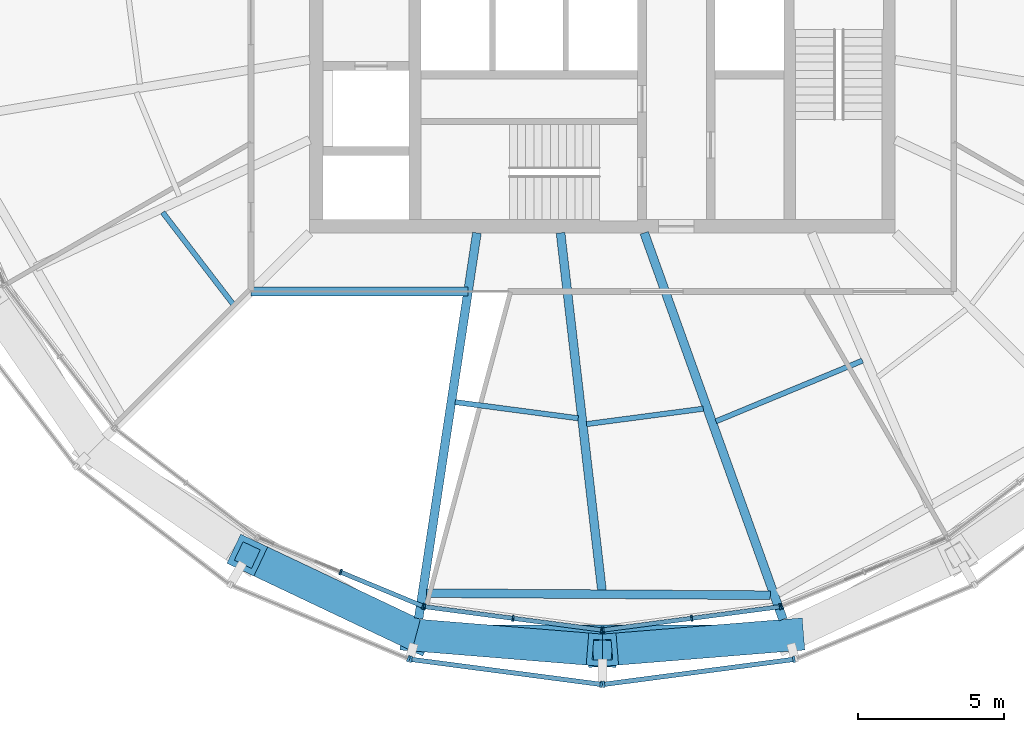
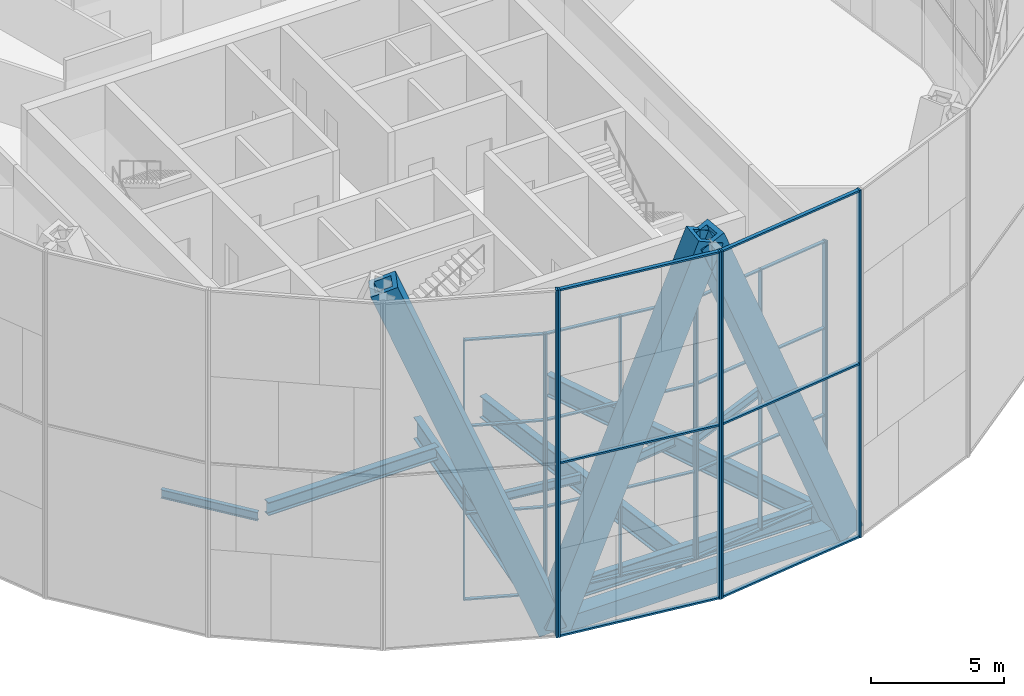
# One storey, part 2 of 26: 43 members, 10 beams, 7 elements without a shape of their own.
"""IFC4 building model written with IfcOpenShell, lengths in metres."""

from ifc_helpers import new_model, si_unit, direction, frame, origin, origin_2d, place, context, subcontext, project, spatial, rectangle, hollow_rectangle, i_section, extrude, material, material_profile, profile_set, type_object, element, aggregate, save


model = new_model("IFC4")

# Units and contexts
model_context = context("Model", 3, precision=1e-05, world=origin(), true_north=direction((0.0, 1.0)))
body_context = subcontext(model_context, "Body", "Model", "MODEL_VIEW")
ifc_project = project(units=[si_unit("LENGTHUNIT", "METRE"), si_unit("AREAUNIT", "SQUARE_METRE"), si_unit("VOLUMEUNIT", "CUBIC_METRE"), si_unit("PLANEANGLEUNIT", "RADIAN"), si_unit("MASSUNIT", "GRAM", prefix="KILO")], contexts=[model_context])

# Site, building, storey
site_placement = place(None, origin())
site = spatial("IfcSite", under=ifc_project, at=site_placement, CompositionType="ELEMENT")
building_placement = place(site_placement, origin())
building = spatial("IfcBuilding", under=site, at=building_placement, Name="Golbaran Civic Tower", CompositionType="ELEMENT")
storey_placement = place(building_placement, frame((0.0, 0.0, 199.0)))
storey = spatial("IfcBuildingStorey", under=building, at=storey_placement, Name="L48", CompositionType="ELEMENT", Elevation=199.0)

# Members
ifc_material_1 = material(Name="Steel S355", Category="steel")
ifc_material_profile_1 = material_profile(ifc_material_1, hollow_rectangle(XDim=1.10009765625, YDim=1.10009765625, WallThickness=0.199951171875, at=origin_2d()), Name="BOX 1100x1100x200")
ifc_profile_set_1 = profile_set([ifc_material_profile_1], Name="Steel S355")
member_type_1 = type_object("IfcMemberType", Name="DIAGRID DIAGONAL BOX 1100x1100x200", PredefinedType="BRACE", material=ifc_profile_set_1)
for number, where, z_axis, x_axis, name in (
    (1, (-6.361328125, -23.740478515625, -0.7099609375), (0.369288121894, -0.029933086945, 0.928832758538), (0.080791217773, 0.996731046537, 0.0), "Diagonal D11-08R L48-L52"),
    (2, (-6.361328125, -23.740478515625, -0.7099609375), (-0.334764832099, 0.158722749986, 0.92883776615), (-0.428416849002, -0.903581210236, 0.0), "Diagonal D11-08L L48-L52"),
    (3, (6.361328125, -23.740478515625, -0.7099609375), (-0.369288121894, -0.029933086945, 0.928832758538), (0.080791217773, -0.996731046537, 0.0), "Diagonal D11-09L L48-L52"),
):
    element("IfcMember", number, at=place(storey_placement, frame(where, z_axis=z_axis, x_axis=x_axis)), inside=storey, type_object=member_type_1, Name=name, PredefinedType="BRACE", context=body_context, shape_type="SweptSolid", body=[
        extrude(hollow_rectangle(XDim=1.10009765625, YDim=1.10009765625, WallThickness=0.199951171875, at=origin_2d()), origin(), (0.0, 0.0, 1.0), 17.225830078125),
    ])

# Beams
ifc_material_profile_2 = material_profile(ifc_material_1, hollow_rectangle(XDim=0.699951171875, YDim=0.699951171875, WallThickness=0.080078125, at=origin_2d()), Name="BOX 700x700x80")
ifc_profile_set_2 = profile_set([ifc_material_profile_2], Name="Steel S355")
beam_type_1 = type_object("IfcBeamType", Name="DIAGRID RING TIE BOX 700x700x80", PredefinedType="BEAM", material=ifc_profile_set_2)
beam_1_placement = place(storey_placement, frame((-6.361328125, -23.740478515625, -0.7099609375), z_axis=(1.0, 0.0, 0.0), x_axis=(0.0, 1.0, 0.0)))
element("IfcBeam", 4, at=beam_1_placement, inside=storey, type_object=beam_type_1, Name="Ring tie 255.00 L48", PredefinedType="BEAM", context=body_context, shape_type="SweptSolid", body=[
    extrude(hollow_rectangle(XDim=0.699951171875, YDim=0.699951171875, WallThickness=0.080078125, at=origin_2d()), origin(), (0.0, 0.0, 1.0), 12.72265625),
])
ifc_material_profile_3 = material_profile(ifc_material_1, i_section(OverallWidth=0.300048828125, OverallDepth=0.800048828125, WebThickness=0.017578125, FlangeThickness=0.032958984375, FilletRadius=0.030029296875, at=origin_2d()), Name="HEB 800")
ifc_profile_set_3 = profile_set([ifc_material_profile_3], Name="Steel S355")
beam_type_2 = type_object("IfcBeamType", Name="EDGE BEAM HEB 800", PredefinedType="BEAM", material=ifc_profile_set_3)
beam_2_placement = place(storey_placement, frame((-6.012939453125, -22.305419921875, -0.60009765625), z_axis=(0.999981458271, -0.006089590707, 0.0), x_axis=(0.006089590707, 0.999981458271, 0.0)))
element("IfcBeam", 5, at=beam_2_placement, inside=storey, type_object=beam_type_2, Name="Edge beam 255.00 L48", PredefinedType="BEAM", context=body_context, shape_type="SweptSolid", body=[
    extrude(i_section(OverallWidth=0.300048828125, OverallDepth=0.800048828125, WebThickness=0.017578125, FlangeThickness=0.032958984375, FilletRadius=0.030029296875, at=origin_2d()), origin(), (0.0, 0.0, 1.0), 11.746826171875),
])
ifc_material_profile_4 = material_profile(ifc_material_1, i_section(OverallWidth=0.179931640625, OverallDepth=0.39990234375, WebThickness=0.008544921875, FlangeThickness=0.013427734375, FilletRadius=0.02099609375, at=origin_2d()), Name="IPE 400")
ifc_profile_set_4 = profile_set([ifc_material_profile_4], Name="Steel S355")
beam_type_3 = type_object("IfcBeamType", Name="FLOOR INFILL BEAM IPE 400", PredefinedType="BEAM", material=ifc_profile_set_4)
beam_3_placement = place(storey_placement, frame((-15.0185546875, -9.301025390625, -0.39990234375), z_axis=(0.608762650761, -0.793352402806, 0.0), x_axis=(0.793352402806, 0.608762650761, 0.0)))
element("IfcBeam", 6, at=beam_3_placement, inside=storey, type_object=beam_type_3, Name="Infill beam 217.50 L48", PredefinedType="BEAM", context=body_context, shape_type="SweptSolid", body=[
    extrude(i_section(OverallWidth=0.179931640625, OverallDepth=0.39990234375, WebThickness=0.008544921875, FlangeThickness=0.013427734375, FilletRadius=0.02099609375, at=origin_2d()), origin(), (0.0, 0.0, 1.0), 3.94677734375),
])
beam_4_placement = place(storey_placement, frame((-5.02734375, -15.7802734375, -0.39990234375), z_axis=(0.991439973221, -0.130563316053, 0.0), x_axis=(0.130563316053, 0.991439973221, 0.0)))
element("IfcBeam", 7, at=beam_4_placement, inside=storey, type_object=beam_type_3, Name="Infill beam 262.50 L48", PredefinedType="BEAM", context=body_context, shape_type="SweptSolid", body=[
    extrude(i_section(OverallWidth=0.179931640625, OverallDepth=0.39990234375, WebThickness=0.008544921875, FlangeThickness=0.013427734375, FilletRadius=0.02099609375, at=origin_2d()), origin(), (0.0, 0.0, 1.0), 4.2373046875),
])
beam_5_placement = place(storey_placement, frame((-0.541748046875, -16.53173828125, -0.39990234375), z_axis=(0.991443344433, 0.130537714016, 0.0), x_axis=(-0.130537714016, 0.991443344433, 0.0)))
element("IfcBeam", 8, at=beam_5_placement, inside=storey, type_object=beam_type_3, Name="Infill beam 277.50 L48", PredefinedType="BEAM", context=body_context, shape_type="SweptSolid", body=[
    extrude(i_section(OverallWidth=0.179931640625, OverallDepth=0.39990234375, WebThickness=0.008544921875, FlangeThickness=0.013427734375, FilletRadius=0.02099609375, at=origin_2d()), origin(), (0.0, 0.0, 1.0), 4.02294921875),
])
beam_6_placement = place(storey_placement, frame((3.877685546875, -16.4375, -0.39990234375), z_axis=(0.923884424675, 0.382671621423, 0.0), x_axis=(-0.382671621423, 0.923884424675, 0.0)))
element("IfcBeam", 9, at=beam_6_placement, inside=storey, type_object=beam_type_3, Name="Infill beam 292.50 L48", PredefinedType="BEAM", context=body_context, shape_type="SweptSolid", body=[
    extrude(i_section(OverallWidth=0.179931640625, OverallDepth=0.39990234375, WebThickness=0.008544921875, FlangeThickness=0.013427734375, FilletRadius=0.02099609375, at=origin_2d()), origin(), (0.0, 0.0, 1.0), 5.416015625),
])
ifc_material_profile_5 = material_profile(ifc_material_1, i_section(OverallWidth=0.300048828125, OverallDepth=0.60009765625, WebThickness=0.015380859375, FlangeThickness=0.030029296875, FilletRadius=0.027099609375, at=origin_2d()), Name="HEB 600")
ifc_profile_set_5 = profile_set([ifc_material_profile_5], Name="Steel S355")
beam_type_4 = type_object("IfcBeamType", Name="GARDEN CHORD TRIMMER HEB 600", PredefinedType="BEAM", material=ifc_profile_set_5)
beam_7_placement = place(storey_placement, frame((-12.0, -12.0, -0.5), z_axis=(1.0, 0.0, 0.0), x_axis=(0.0, 1.0, 0.0)))
element("IfcBeam", 10, at=beam_7_placement, inside=storey, type_object=beam_type_4, Name="Garden void trimmer L48", PredefinedType="BEAM", context=body_context, shape_type="SweptSolid", body=[
    extrude(i_section(OverallWidth=0.300048828125, OverallDepth=0.60009765625, WebThickness=0.015380859375, FlangeThickness=0.030029296875, FilletRadius=0.027099609375, at=origin_2d()), origin(), (0.0, 0.0, 1.0), 7.412109375),
])

# Curtain wall, members
ifc_material_2 = material(Name="Aluminium and glass", Category="aluminium")
curtain_wall_type_1 = type_object("IfcCurtainWallType", Name="INNER SKIN CURTAIN WALL EXECUTIVE", PredefinedType="NOTDEFINED", material=ifc_material_2)
curtain_wall_1_placement = place(storey_placement, origin())
curtain_wall_1 = element("IfcCurtainWall", 11, at=curtain_wall_1_placement, inside=storey, type_object=curtain_wall_type_1, Name="Inner skin L48 facet 17 CW2", ObjectType="INNER SKIN", PredefinedType="USERDEFINED")
ifc_material_3 = material(Name="Aluminium", Category="aluminium")
ifc_material_profile_6 = material_profile(ifc_material_3, rectangle(XDim=0.199951171875, YDim=0.06005859375, at=origin_2d()), Name="INNER SKIN CURTAIN WALL EXECUTIVE MULLION")
ifc_profile_set_6 = profile_set([ifc_material_profile_6], Name="Aluminium")
member_type_2 = type_object("IfcMemberType", Name="INNER SKIN CURTAIN WALL EXECUTIVE MULLION", PredefinedType="MULLION", material=ifc_profile_set_6)
member_1_placement = place(storey_placement, frame((-8.941650390625, -21.5869140625, 0.0), z_axis=(0.0, 0.0, 1.0), x_axis=(0.382683432349, 0.923879532518, 0.0)))
member_1 = element("IfcMember", 12, at=member_1_placement, type_object=member_type_2, Name="CW2 mullion 2", PredefinedType="MULLION", context=body_context, shape_type="SweptSolid", body=[
    extrude(rectangle(XDim=0.199951171875, YDim=0.06005859375, at=origin_2d()), origin(), (0.0, 0.0, 1.0), 12.0),
])
member_2_placement = place(storey_placement, frame((-6.127197265625, -22.75244140625, 0.0), z_axis=(0.0, 0.0, 1.0), x_axis=(0.382683432349, 0.923879532518, 0.0)))
member_2 = element("IfcMember", 13, at=member_2_placement, type_object=member_type_2, Name="CW2 mullion 3", PredefinedType="MULLION", context=body_context, shape_type="SweptSolid", body=[
    extrude(rectangle(XDim=0.199951171875, YDim=0.06005859375, at=origin_2d()), origin(), (0.0, 0.0, 1.0), 12.0),
])

curtain_wall_2_placement = place(storey_placement, origin())
curtain_wall_2 = element("IfcCurtainWall", 14, at=curtain_wall_2_placement, inside=storey, type_object=curtain_wall_type_1, Name="Inner skin L48 facet 18 CW2", ObjectType="INNER SKIN", PredefinedType="USERDEFINED")
member_3_placement = place(storey_placement, frame((-6.06982421875, -22.767822265625, 0.0), z_axis=(0.0, 0.0, 1.0), x_axis=(0.130526192237, 0.991444861372, 0.0)))
member_3 = element("IfcMember", 15, at=member_3_placement, type_object=member_type_2, Name="CW2 mullion 1", PredefinedType="MULLION", context=body_context, shape_type="SweptSolid", body=[
    extrude(rectangle(XDim=0.199951171875, YDim=0.06005859375, at=origin_2d()), origin(), (0.0, 0.0, 1.0), 12.0),
])
member_4_placement = place(storey_placement, frame((-3.0498046875, -23.16552734375, 0.0), z_axis=(0.0, 0.0, 1.0), x_axis=(0.130526192237, 0.991444861372, 0.0)))
member_4 = element("IfcMember", 16, at=member_4_placement, type_object=member_type_2, Name="CW2 mullion 2", PredefinedType="MULLION", context=body_context, shape_type="SweptSolid", body=[
    extrude(rectangle(XDim=0.199951171875, YDim=0.06005859375, at=origin_2d()), origin(), (0.0, 0.0, 1.0), 12.0),
])
member_5_placement = place(storey_placement, frame((-0.02978515625, -23.56298828125, 0.0), z_axis=(0.0, 0.0, 1.0), x_axis=(0.130526192237, 0.991444861372, 0.0)))
member_5 = element("IfcMember", 17, at=member_5_placement, type_object=member_type_2, Name="CW2 mullion 3", PredefinedType="MULLION", context=body_context, shape_type="SweptSolid", body=[
    extrude(rectangle(XDim=0.199951171875, YDim=0.06005859375, at=origin_2d()), origin(), (0.0, 0.0, 1.0), 12.0),
])

curtain_wall_3_placement = place(storey_placement, origin())
curtain_wall_3 = element("IfcCurtainWall", 18, at=curtain_wall_3_placement, inside=storey, type_object=curtain_wall_type_1, Name="Inner skin L48 facet 19 CW2", ObjectType="INNER SKIN", PredefinedType="USERDEFINED")
member_6_placement = place(storey_placement, frame((0.02978515625, -23.56298828125, 0.0), z_axis=(0.0, 0.0, 1.0), x_axis=(-0.130526192237, 0.991444861372, 0.0)))
member_6 = element("IfcMember", 19, at=member_6_placement, type_object=member_type_2, Name="CW2 mullion 1", PredefinedType="MULLION", context=body_context, shape_type="SweptSolid", body=[
    extrude(rectangle(XDim=0.199951171875, YDim=0.06005859375, at=origin_2d()), origin(), (0.0, 0.0, 1.0), 12.0),
])
member_7_placement = place(storey_placement, frame((3.0498046875, -23.16552734375, 0.0), z_axis=(0.0, 0.0, 1.0), x_axis=(-0.130526192237, 0.991444861372, 0.0)))
member_7 = element("IfcMember", 20, at=member_7_placement, type_object=member_type_2, Name="CW2 mullion 2", PredefinedType="MULLION", context=body_context, shape_type="SweptSolid", body=[
    extrude(rectangle(XDim=0.199951171875, YDim=0.06005859375, at=origin_2d()), origin(), (0.0, 0.0, 1.0), 12.0),
])
member_8_placement = place(storey_placement, frame((6.06982421875, -22.767822265625, 0.0), z_axis=(0.0, 0.0, 1.0), x_axis=(-0.130526192237, 0.991444861372, 0.0)))
member_8 = element("IfcMember", 21, at=member_8_placement, type_object=member_type_2, Name="CW2 mullion 3", PredefinedType="MULLION", context=body_context, shape_type="SweptSolid", body=[
    extrude(rectangle(XDim=0.199951171875, YDim=0.06005859375, at=origin_2d()), origin(), (0.0, 0.0, 1.0), 12.0),
])

# Curtain wall, member
curtain_wall_4_placement = place(storey_placement, origin())
curtain_wall_4 = element("IfcCurtainWall", 22, at=curtain_wall_4_placement, inside=storey, type_object=curtain_wall_type_1, Name="Inner skin L48 facet 20 CW2", ObjectType="INNER SKIN", PredefinedType="USERDEFINED")
member_9_placement = place(storey_placement, frame((6.127197265625, -22.75244140625, 0.0), z_axis=(0.0, 0.0, 1.0), x_axis=(-0.382683432349, 0.923879532518, 0.0)))
member_9 = element("IfcMember", 23, at=member_9_placement, type_object=member_type_2, Name="CW2 mullion 1", PredefinedType="MULLION", context=body_context, shape_type="SweptSolid", body=[
    extrude(rectangle(XDim=0.199951171875, YDim=0.06005859375, at=origin_2d()), origin(), (0.0, 0.0, 1.0), 12.0),
])
aggregate(curtain_wall_4, [member_9])

# Member
ifc_material_profile_7 = material_profile(ifc_material_3, rectangle(XDim=0.14990234375, YDim=0.06005859375, at=origin_2d()), Name="INNER SKIN CURTAIN WALL EXECUTIVE TRANSOM")
ifc_profile_set_7 = profile_set([ifc_material_profile_7], Name="Aluminium")
member_type_3 = type_object("IfcMemberType", Name="INNER SKIN CURTAIN WALL EXECUTIVE TRANSOM", PredefinedType="USERDEFINED", material=ifc_profile_set_7)
member_10_placement = place(storey_placement, frame((-8.913818359375, -21.598388671875, 0.030029296875), z_axis=(0.923897258763, -0.382640634603, 0.0), x_axis=(0.382640634603, 0.923897258763, 0.0)))
member_10 = element("IfcMember", 24, at=member_10_placement, type_object=member_type_3, Name="CW2 transom 2.1", ObjectType="TRANSOM", PredefinedType="USERDEFINED", context=body_context, shape_type="SweptSolid", body=[
    extrude(rectangle(XDim=0.14990234375, YDim=0.06005859375, at=origin_2d()), origin(), (0.0, 0.0, 1.0), 2.986083984375),
])

member_11_placement = place(storey_placement, frame((-8.913818359375, -21.598388671875, 4.0), z_axis=(0.923897258763, -0.382640634603, 0.0), x_axis=(0.382640634603, 0.923897258763, 0.0)))
member_11 = element("IfcMember", 25, at=member_11_placement, type_object=member_type_3, Name="CW2 transom 2.2", ObjectType="TRANSOM", PredefinedType="USERDEFINED", context=body_context, shape_type="SweptSolid", body=[
    extrude(rectangle(XDim=0.14990234375, YDim=0.06005859375, at=origin_2d()), origin(), (0.0, 0.0, 1.0), 2.986083984375),
])

member_12_placement = place(storey_placement, frame((-8.913818359375, -21.598388671875, 8.0), z_axis=(0.923897258763, -0.382640634603, 0.0), x_axis=(0.382640634603, 0.923897258763, 0.0)))
member_12 = element("IfcMember", 26, at=member_12_placement, type_object=member_type_3, Name="CW2 transom 2.3", ObjectType="TRANSOM", PredefinedType="USERDEFINED", context=body_context, shape_type="SweptSolid", body=[
    extrude(rectangle(XDim=0.14990234375, YDim=0.06005859375, at=origin_2d()), origin(), (0.0, 0.0, 1.0), 2.986083984375),
])

member_13_placement = place(storey_placement, frame((-8.913818359375, -21.598388671875, 11.969970703125), z_axis=(0.923897258763, -0.382640634603, 0.0), x_axis=(0.382640634603, 0.923897258763, 0.0)))
member_13 = element("IfcMember", 27, at=member_13_placement, type_object=member_type_3, Name="CW2 transom 2.4", ObjectType="TRANSOM", PredefinedType="USERDEFINED", context=body_context, shape_type="SweptSolid", body=[
    extrude(rectangle(XDim=0.14990234375, YDim=0.06005859375, at=origin_2d()), origin(), (0.0, 0.0, 1.0), 2.986083984375),
])

aggregate(curtain_wall_1, [member_1, member_2, member_10, member_11, member_12, member_13])

member_14_placement = place(storey_placement, frame((-6.0400390625, -22.771728515625, 0.030029296875), z_axis=(0.991438704267, -0.130572951568, 0.0), x_axis=(0.130572951568, 0.991438704267, 0.0)))
member_14 = element("IfcMember", 28, at=member_14_placement, type_object=member_type_3, Name="CW2 transom 1.1", ObjectType="TRANSOM", PredefinedType="USERDEFINED", context=body_context, shape_type="SweptSolid", body=[
    extrude(rectangle(XDim=0.14990234375, YDim=0.06005859375, at=origin_2d()), origin(), (0.0, 0.0, 1.0), 2.986083984375),
])

member_15_placement = place(storey_placement, frame((-6.0400390625, -22.771728515625, 4.0), z_axis=(0.991438704267, -0.130572951568, 0.0), x_axis=(0.130572951568, 0.991438704267, 0.0)))
member_15 = element("IfcMember", 29, at=member_15_placement, type_object=member_type_3, Name="CW2 transom 1.2", ObjectType="TRANSOM", PredefinedType="USERDEFINED", context=body_context, shape_type="SweptSolid", body=[
    extrude(rectangle(XDim=0.14990234375, YDim=0.06005859375, at=origin_2d()), origin(), (0.0, 0.0, 1.0), 2.986083984375),
])

member_16_placement = place(storey_placement, frame((-6.0400390625, -22.771728515625, 8.0), z_axis=(0.991438704267, -0.130572951568, 0.0), x_axis=(0.130572951568, 0.991438704267, 0.0)))
member_16 = element("IfcMember", 30, at=member_16_placement, type_object=member_type_3, Name="CW2 transom 1.3", ObjectType="TRANSOM", PredefinedType="USERDEFINED", context=body_context, shape_type="SweptSolid", body=[
    extrude(rectangle(XDim=0.14990234375, YDim=0.06005859375, at=origin_2d()), origin(), (0.0, 0.0, 1.0), 2.986083984375),
])

member_17_placement = place(storey_placement, frame((-6.0400390625, -22.771728515625, 11.969970703125), z_axis=(0.991438704267, -0.130572951568, 0.0), x_axis=(0.130572951568, 0.991438704267, 0.0)))
member_17 = element("IfcMember", 31, at=member_17_placement, type_object=member_type_3, Name="CW2 transom 1.4", ObjectType="TRANSOM", PredefinedType="USERDEFINED", context=body_context, shape_type="SweptSolid", body=[
    extrude(rectangle(XDim=0.14990234375, YDim=0.06005859375, at=origin_2d()), origin(), (0.0, 0.0, 1.0), 2.986083984375),
])

member_18_placement = place(storey_placement, frame((-3.02001953125, -23.16943359375, 0.030029296875), z_axis=(0.991449285551, -0.130492582858, 0.0), x_axis=(0.130492582858, 0.991449285551, 0.0)))
member_18 = element("IfcMember", 32, at=member_18_placement, type_object=member_type_3, Name="CW2 transom 2.1", ObjectType="TRANSOM", PredefinedType="USERDEFINED", context=body_context, shape_type="SweptSolid", body=[
    extrude(rectangle(XDim=0.14990234375, YDim=0.06005859375, at=origin_2d()), origin(), (0.0, 0.0, 1.0), 2.986083984375),
])

member_19_placement = place(storey_placement, frame((-3.02001953125, -23.16943359375, 4.0), z_axis=(0.991449285551, -0.130492582858, 0.0), x_axis=(0.130492582858, 0.991449285551, 0.0)))
member_19 = element("IfcMember", 33, at=member_19_placement, type_object=member_type_3, Name="CW2 transom 2.2", ObjectType="TRANSOM", PredefinedType="USERDEFINED", context=body_context, shape_type="SweptSolid", body=[
    extrude(rectangle(XDim=0.14990234375, YDim=0.06005859375, at=origin_2d()), origin(), (0.0, 0.0, 1.0), 2.986083984375),
])

member_20_placement = place(storey_placement, frame((-3.02001953125, -23.16943359375, 8.0), z_axis=(0.991449285551, -0.130492582858, 0.0), x_axis=(0.130492582858, 0.991449285551, 0.0)))
member_20 = element("IfcMember", 34, at=member_20_placement, type_object=member_type_3, Name="CW2 transom 2.3", ObjectType="TRANSOM", PredefinedType="USERDEFINED", context=body_context, shape_type="SweptSolid", body=[
    extrude(rectangle(XDim=0.14990234375, YDim=0.06005859375, at=origin_2d()), origin(), (0.0, 0.0, 1.0), 2.986083984375),
])

member_21_placement = place(storey_placement, frame((-3.02001953125, -23.16943359375, 11.969970703125), z_axis=(0.991449285551, -0.130492582858, 0.0), x_axis=(0.130492582858, 0.991449285551, 0.0)))
member_21 = element("IfcMember", 35, at=member_21_placement, type_object=member_type_3, Name="CW2 transom 2.4", ObjectType="TRANSOM", PredefinedType="USERDEFINED", context=body_context, shape_type="SweptSolid", body=[
    extrude(rectangle(XDim=0.14990234375, YDim=0.06005859375, at=origin_2d()), origin(), (0.0, 0.0, 1.0), 2.986083984375),
])

aggregate(curtain_wall_2, [member_3, member_4, member_5, member_14, member_15, member_16, member_17, member_18, member_19, member_20, member_21])

member_22_placement = place(storey_placement, frame((0.0595703125, -23.55908203125, 0.030029296875), z_axis=(0.991449285551, 0.130492582858, 0.0), x_axis=(-0.130492582858, 0.991449285551, 0.0)))
member_22 = element("IfcMember", 36, at=member_22_placement, type_object=member_type_3, Name="CW2 transom 1.1", ObjectType="TRANSOM", PredefinedType="USERDEFINED", context=body_context, shape_type="SweptSolid", body=[
    extrude(rectangle(XDim=0.14990234375, YDim=0.06005859375, at=origin_2d()), origin(), (0.0, 0.0, 1.0), 2.986083984375),
])

member_23_placement = place(storey_placement, frame((0.0595703125, -23.55908203125, 4.0), z_axis=(0.991449285551, 0.130492582858, 0.0), x_axis=(-0.130492582858, 0.991449285551, 0.0)))
member_23 = element("IfcMember", 37, at=member_23_placement, type_object=member_type_3, Name="CW2 transom 1.2", ObjectType="TRANSOM", PredefinedType="USERDEFINED", context=body_context, shape_type="SweptSolid", body=[
    extrude(rectangle(XDim=0.14990234375, YDim=0.06005859375, at=origin_2d()), origin(), (0.0, 0.0, 1.0), 2.986083984375),
])

member_24_placement = place(storey_placement, frame((0.0595703125, -23.55908203125, 8.0), z_axis=(0.991449285551, 0.130492582858, 0.0), x_axis=(-0.130492582858, 0.991449285551, 0.0)))
member_24 = element("IfcMember", 38, at=member_24_placement, type_object=member_type_3, Name="CW2 transom 1.3", ObjectType="TRANSOM", PredefinedType="USERDEFINED", context=body_context, shape_type="SweptSolid", body=[
    extrude(rectangle(XDim=0.14990234375, YDim=0.06005859375, at=origin_2d()), origin(), (0.0, 0.0, 1.0), 2.986083984375),
])

member_25_placement = place(storey_placement, frame((0.0595703125, -23.55908203125, 11.969970703125), z_axis=(0.991449285551, 0.130492582858, 0.0), x_axis=(-0.130492582858, 0.991449285551, 0.0)))
member_25 = element("IfcMember", 39, at=member_25_placement, type_object=member_type_3, Name="CW2 transom 1.4", ObjectType="TRANSOM", PredefinedType="USERDEFINED", context=body_context, shape_type="SweptSolid", body=[
    extrude(rectangle(XDim=0.14990234375, YDim=0.06005859375, at=origin_2d()), origin(), (0.0, 0.0, 1.0), 2.986083984375),
])

member_26_placement = place(storey_placement, frame((3.07958984375, -23.16162109375, 0.030029296875), z_axis=(0.991438704267, 0.130572951568, 0.0), x_axis=(-0.130572951568, 0.991438704267, 0.0)))
member_26 = element("IfcMember", 40, at=member_26_placement, type_object=member_type_3, Name="CW2 transom 2.1", ObjectType="TRANSOM", PredefinedType="USERDEFINED", context=body_context, shape_type="SweptSolid", body=[
    extrude(rectangle(XDim=0.14990234375, YDim=0.06005859375, at=origin_2d()), origin(), (0.0, 0.0, 1.0), 2.986083984375),
])

member_27_placement = place(storey_placement, frame((3.07958984375, -23.16162109375, 4.0), z_axis=(0.991438704267, 0.130572951568, 0.0), x_axis=(-0.130572951568, 0.991438704267, 0.0)))
member_27 = element("IfcMember", 41, at=member_27_placement, type_object=member_type_3, Name="CW2 transom 2.2", ObjectType="TRANSOM", PredefinedType="USERDEFINED", context=body_context, shape_type="SweptSolid", body=[
    extrude(rectangle(XDim=0.14990234375, YDim=0.06005859375, at=origin_2d()), origin(), (0.0, 0.0, 1.0), 2.986083984375),
])

member_28_placement = place(storey_placement, frame((3.07958984375, -23.16162109375, 8.0), z_axis=(0.991438704267, 0.130572951568, 0.0), x_axis=(-0.130572951568, 0.991438704267, 0.0)))
member_28 = element("IfcMember", 42, at=member_28_placement, type_object=member_type_3, Name="CW2 transom 2.3", ObjectType="TRANSOM", PredefinedType="USERDEFINED", context=body_context, shape_type="SweptSolid", body=[
    extrude(rectangle(XDim=0.14990234375, YDim=0.06005859375, at=origin_2d()), origin(), (0.0, 0.0, 1.0), 2.986083984375),
])

member_29_placement = place(storey_placement, frame((3.07958984375, -23.16162109375, 11.969970703125), z_axis=(0.991438704267, 0.130572951568, 0.0), x_axis=(-0.130572951568, 0.991438704267, 0.0)))
member_29 = element("IfcMember", 43, at=member_29_placement, type_object=member_type_3, Name="CW2 transom 2.4", ObjectType="TRANSOM", PredefinedType="USERDEFINED", context=body_context, shape_type="SweptSolid", body=[
    extrude(rectangle(XDim=0.14990234375, YDim=0.06005859375, at=origin_2d()), origin(), (0.0, 0.0, 1.0), 2.986083984375),
])

aggregate(curtain_wall_3, [member_6, member_7, member_8, member_22, member_23, member_24, member_25, member_26, member_27, member_28, member_29])

# Curtain wall, member
curtain_wall_type_2 = type_object("IfcCurtainWallType", Name="OUTER SKIN TERRACOTTA SCREEN", PredefinedType="NOTDEFINED", material=ifc_material_2)
curtain_wall_5_placement = place(storey_placement, origin())
curtain_wall_5 = element("IfcCurtainWall", 44, at=curtain_wall_5_placement, inside=storey, type_object=curtain_wall_type_2, Name="Outer skin L48 facet 17 CW3", ObjectType="OUTER SKIN", PredefinedType="USERDEFINED")
ifc_material_profile_8 = material_profile(ifc_material_3, rectangle(XDim=0.219970703125, YDim=0.080078125, at=origin_2d()), Name="OUTER SKIN TERRACOTTA SCREEN MULLION")
ifc_profile_set_8 = profile_set([ifc_material_profile_8], Name="Aluminium")
member_type_4 = type_object("IfcMemberType", Name="OUTER SKIN TERRACOTTA SCREEN MULLION", PredefinedType="MULLION", material=ifc_profile_set_8)
member_30_placement = place(storey_placement, frame((-6.6181640625, -24.546142578125, -0.7099609375), z_axis=(0.0, 0.0, 1.0), x_axis=(0.382683432446, 0.923879532478, 0.0)))
member_30 = element("IfcMember", 45, at=member_30_placement, type_object=member_type_4, Name="CW3 mullion 2", PredefinedType="MULLION", context=body_context, shape_type="SweptSolid", body=[
    extrude(rectangle(XDim=0.219970703125, YDim=0.080078125, at=origin_2d()), origin(), (0.0, 0.0, 1.0), 16.0),
])
aggregate(curtain_wall_5, [member_30])

# Curtain wall, members
curtain_wall_6_placement = place(storey_placement, origin())
curtain_wall_6 = element("IfcCurtainWall", 46, at=curtain_wall_6_placement, inside=storey, type_object=curtain_wall_type_2, Name="Outer skin L48 facet 18 CW3", ObjectType="OUTER SKIN", PredefinedType="USERDEFINED")
member_31_placement = place(storey_placement, frame((-6.54150390625, -24.56689453125, -0.7099609375), z_axis=(0.0, 0.0, 1.0), x_axis=(0.130526192203, 0.991444861376, 0.0)))
member_31 = element("IfcMember", 47, at=member_31_placement, type_object=member_type_4, Name="CW3 mullion 1", PredefinedType="MULLION", context=body_context, shape_type="SweptSolid", body=[
    extrude(rectangle(XDim=0.219970703125, YDim=0.080078125, at=origin_2d()), origin(), (0.0, 0.0, 1.0), 16.0),
])
member_32_placement = place(storey_placement, frame((-0.03955078125, -25.4228515625, -0.7099609375), z_axis=(0.0, 0.0, 1.0), x_axis=(0.130526192203, 0.991444861376, 0.0)))
member_32 = element("IfcMember", 48, at=member_32_placement, type_object=member_type_4, Name="CW3 mullion 2", PredefinedType="MULLION", context=body_context, shape_type="SweptSolid", body=[
    extrude(rectangle(XDim=0.219970703125, YDim=0.080078125, at=origin_2d()), origin(), (0.0, 0.0, 1.0), 16.0),
])

curtain_wall_7_placement = place(storey_placement, origin())
curtain_wall_7 = element("IfcCurtainWall", 49, at=curtain_wall_7_placement, inside=storey, type_object=curtain_wall_type_2, Name="Outer skin L48 facet 19 CW3", ObjectType="OUTER SKIN", PredefinedType="USERDEFINED")
member_33_placement = place(storey_placement, frame((0.03955078125, -25.4228515625, -0.7099609375), z_axis=(0.0, 0.0, 1.0), x_axis=(-0.130526192203, 0.991444861376, 0.0)))
member_33 = element("IfcMember", 50, at=member_33_placement, type_object=member_type_4, Name="CW3 mullion 1", PredefinedType="MULLION", context=body_context, shape_type="SweptSolid", body=[
    extrude(rectangle(XDim=0.219970703125, YDim=0.080078125, at=origin_2d()), origin(), (0.0, 0.0, 1.0), 16.0),
])
member_34_placement = place(storey_placement, frame((6.54150390625, -24.56689453125, -0.7099609375), z_axis=(0.0, 0.0, 1.0), x_axis=(-0.130526192203, 0.991444861376, 0.0)))
member_34 = element("IfcMember", 51, at=member_34_placement, type_object=member_type_4, Name="CW3 mullion 2", PredefinedType="MULLION", context=body_context, shape_type="SweptSolid", body=[
    extrude(rectangle(XDim=0.219970703125, YDim=0.080078125, at=origin_2d()), origin(), (0.0, 0.0, 1.0), 16.0),
])

# Member
ifc_material_profile_9 = material_profile(ifc_material_3, rectangle(XDim=0.159912109375, YDim=0.080078125, at=origin_2d()), Name="OUTER SKIN TERRACOTTA SCREEN TRANSOM")
ifc_profile_set_9 = profile_set([ifc_material_profile_9], Name="Aluminium")
member_type_5 = type_object("IfcMemberType", Name="OUTER SKIN TERRACOTTA SCREEN TRANSOM", PredefinedType="USERDEFINED", material=ifc_profile_set_9)
member_35_placement = place(storey_placement, frame((-6.501953125, -24.572021484375, -0.669921875), z_axis=(0.991446725575, -0.130512031424, 0.0), x_axis=(0.130512031424, 0.991446725575, 0.0)))
member_35 = element("IfcMember", 52, at=member_35_placement, type_object=member_type_5, Name="CW3 transom 1.1", ObjectType="TRANSOM", PredefinedType="USERDEFINED", context=body_context, shape_type="SweptSolid", body=[
    extrude(rectangle(XDim=0.159912109375, YDim=0.080078125, at=origin_2d()), origin(), (0.0, 0.0, 1.0), 6.47802734375),
])

member_36_placement = place(storey_placement, frame((-6.501953125, -24.572021484375, 7.2900390625), z_axis=(0.991446725575, -0.130512031424, 0.0), x_axis=(0.130512031424, 0.991446725575, 0.0)))
member_36 = element("IfcMember", 53, at=member_36_placement, type_object=member_type_5, Name="CW3 transom 1.2", ObjectType="TRANSOM", PredefinedType="USERDEFINED", context=body_context, shape_type="SweptSolid", body=[
    extrude(rectangle(XDim=0.159912109375, YDim=0.080078125, at=origin_2d()), origin(), (0.0, 0.0, 1.0), 6.47802734375),
])

member_37_placement = place(storey_placement, frame((-6.501953125, -24.572021484375, 15.25), z_axis=(0.991446725575, -0.130512031424, 0.0), x_axis=(0.130512031424, 0.991446725575, 0.0)))
member_37 = element("IfcMember", 54, at=member_37_placement, type_object=member_type_5, Name="CW3 transom 1.3", ObjectType="TRANSOM", PredefinedType="USERDEFINED", context=body_context, shape_type="SweptSolid", body=[
    extrude(rectangle(XDim=0.159912109375, YDim=0.080078125, at=origin_2d()), origin(), (0.0, 0.0, 1.0), 6.47802734375),
])

aggregate(curtain_wall_6, [member_31, member_32, member_35, member_36, member_37])

member_38_placement = place(storey_placement, frame((0.079345703125, -25.41748046875, -0.669921875), z_axis=(0.991446725575, 0.130512031424, 0.0), x_axis=(-0.130512031424, 0.991446725575, 0.0)))
member_38 = element("IfcMember", 55, at=member_38_placement, type_object=member_type_5, Name="CW3 transom 1.1", ObjectType="TRANSOM", PredefinedType="USERDEFINED", context=body_context, shape_type="SweptSolid", body=[
    extrude(rectangle(XDim=0.159912109375, YDim=0.080078125, at=origin_2d()), origin(), (0.0, 0.0, 1.0), 6.47802734375),
])

member_39_placement = place(storey_placement, frame((0.079345703125, -25.41748046875, 7.2900390625), z_axis=(0.991446725575, 0.130512031424, 0.0), x_axis=(-0.130512031424, 0.991446725575, 0.0)))
member_39 = element("IfcMember", 56, at=member_39_placement, type_object=member_type_5, Name="CW3 transom 1.2", ObjectType="TRANSOM", PredefinedType="USERDEFINED", context=body_context, shape_type="SweptSolid", body=[
    extrude(rectangle(XDim=0.159912109375, YDim=0.080078125, at=origin_2d()), origin(), (0.0, 0.0, 1.0), 6.47802734375),
])

member_40_placement = place(storey_placement, frame((0.079345703125, -25.41748046875, 15.25), z_axis=(0.991446725575, 0.130512031424, 0.0), x_axis=(-0.130512031424, 0.991446725575, 0.0)))
member_40 = element("IfcMember", 57, at=member_40_placement, type_object=member_type_5, Name="CW3 transom 1.3", ObjectType="TRANSOM", PredefinedType="USERDEFINED", context=body_context, shape_type="SweptSolid", body=[
    extrude(rectangle(XDim=0.159912109375, YDim=0.080078125, at=origin_2d()), origin(), (0.0, 0.0, 1.0), 6.47802734375),
])

aggregate(curtain_wall_7, [member_33, member_34, member_38, member_39, member_40])

# Beams
ifc_material_profile_10 = material_profile(ifc_material_1, i_section(OverallWidth=0.300048828125, OverallDepth=1.0, WebThickness=0.01904296875, FlangeThickness=0.035888671875, FilletRadius=0.030029296875, at=origin_2d()), Name="HEB 1000")
ifc_profile_set_10 = profile_set([ifc_material_profile_10], Name="Steel S355")
beam_type_5 = type_object("IfcBeamType", Name="RADIAL FLOOR BEAM HEB 1000", PredefinedType="BEAM", material=ifc_profile_set_10)
beam_8_placement = place(storey_placement, frame((-4.28564453125, -10.0, -0.7099609375), z_axis=(-0.14935749392, -0.988783261898, 0.0), x_axis=(0.988783261898, -0.14935749392, 0.0)))
element("IfcBeam", 58, at=beam_8_placement, inside=storey, type_object=beam_type_5, Name="Radial beam 255.00 L48", PredefinedType="BEAM", context=body_context, shape_type="SweptSolid", body=[
    extrude(i_section(OverallWidth=0.300048828125, OverallDepth=1.0, WebThickness=0.01904296875, FlangeThickness=0.035888671875, FilletRadius=0.030029296875, at=origin_2d()), origin(), (0.0, 0.0, 1.0), 13.322021484375),
])
beam_9_placement = place(storey_placement, frame((1.428466796875, -10.0, -0.7099609375), z_axis=(0.337878192779, -0.941189846335, 0.0), x_axis=(0.941189846335, 0.337878192779, 0.0)))
element("IfcBeam", 59, at=beam_9_placement, inside=storey, type_object=beam_type_5, Name="Radial beam 285.00 L48", PredefinedType="BEAM", context=body_context, shape_type="SweptSolid", body=[
    extrude(i_section(OverallWidth=0.300048828125, OverallDepth=1.0, WebThickness=0.01904296875, FlangeThickness=0.035888671875, FilletRadius=0.030029296875, at=origin_2d()), origin(), (0.0, 0.0, 1.0), 14.029296875),
])
ifc_material_profile_11 = material_profile(ifc_material_1, i_section(OverallWidth=0.300048828125, OverallDepth=1.0, WebThickness=0.01904296875, FlangeThickness=0.035888671875, FilletRadius=0.030029296875, at=origin_2d()), Name="HEB 1000")
ifc_profile_set_11 = profile_set([ifc_material_profile_11], Name="Steel S355")
beam_type_6 = type_object("IfcBeamType", Name="SECONDARY FLOOR BEAM HEB 1000", PredefinedType="BEAM", material=ifc_profile_set_11)
beam_10_placement = place(storey_placement, frame((-1.428466796875, -10.0, -0.7099609375), z_axis=(0.114972408731, -0.993368685449, 0.0), x_axis=(0.993368685449, 0.114972408731, 0.0)))
element("IfcBeam", 60, at=beam_10_placement, inside=storey, type_object=beam_type_6, Name="Secondary beam 270.00 L48", PredefinedType="BEAM", context=body_context, shape_type="SweptSolid", body=[
    extrude(i_section(OverallWidth=0.300048828125, OverallDepth=1.0, WebThickness=0.01904296875, FlangeThickness=0.035888671875, FilletRadius=0.030029296875, at=origin_2d()), origin(), (0.0, 0.0, 1.0), 12.42431640625),
])

save(model, "model.ifc")
